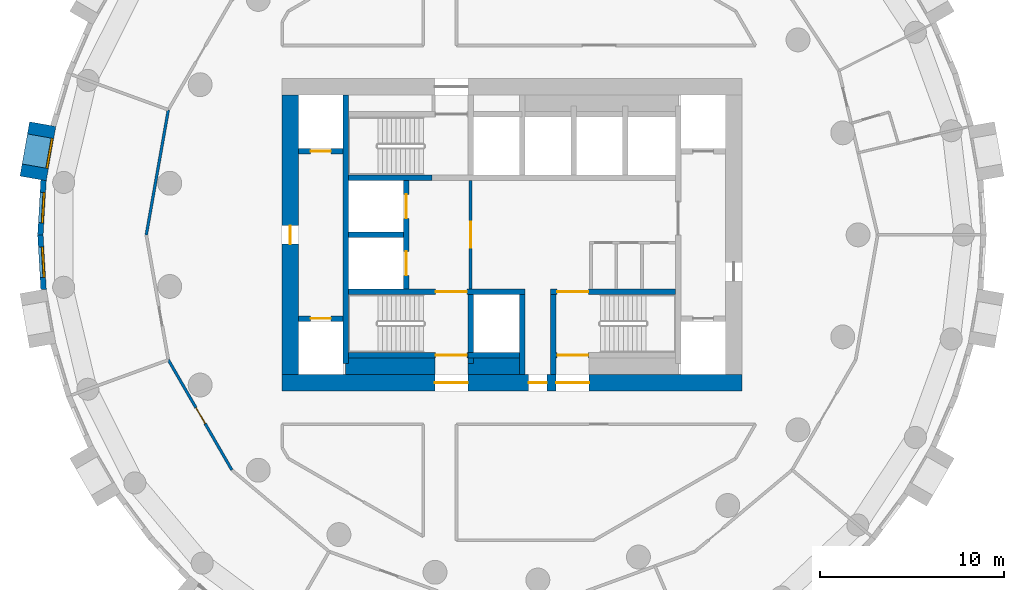
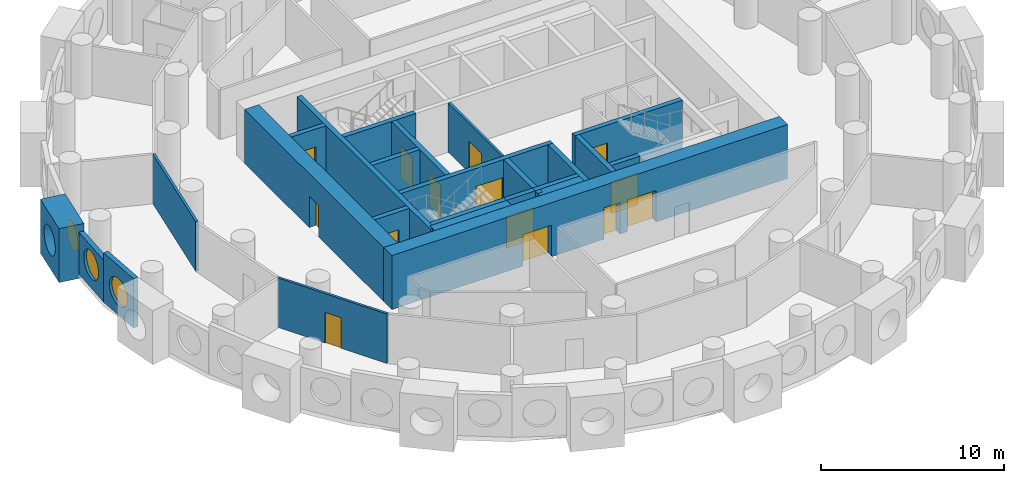
# One storey, part 3 of 9: 25 walls, 14 doors, 3 windows, 17 openings.
"""IFC4 building model written with IfcOpenShell, lengths in metres."""

from ifc_helpers import new_model, si_unit, direction, frame, frame_2d, origin, origin_2d, place, context, subcontext, project, spatial, rectangle, circle, extrude, material, layer, layer_set, type_object, element, fill, save


model = new_model("IFC4")

# Units and contexts
model_context = context("Model", 3, precision=1e-05, world=origin(), true_north=direction((0.0, 1.0)))
body_context = subcontext(model_context, "Body", "Model", "MODEL_VIEW")
ifc_project = project(units=[si_unit("LENGTHUNIT", "METRE"), si_unit("AREAUNIT", "SQUARE_METRE"), si_unit("VOLUMEUNIT", "CUBIC_METRE"), si_unit("PLANEANGLEUNIT", "RADIAN"), si_unit("MASSUNIT", "GRAM", prefix="KILO")], contexts=[model_context])

# Site, building, storey
site_placement = place(None, origin())
site = spatial("IfcSite", under=ifc_project, at=site_placement, CompositionType="ELEMENT")
building_placement = place(site_placement, origin())
building = spatial("IfcBuilding", under=site, at=building_placement, Name="Tracery Tower", CompositionType="ELEMENT")
storey_placement = place(building_placement, frame((0.0, 0.0, 172.800048828125)))
storey = spatial("IfcBuildingStorey", under=building, at=storey_placement, Name="L44", CompositionType="ELEMENT", Elevation=172.800048828125)

# Wall, opening, door
ifc_material_1 = material(Name="Plasterboard on steel studs", Category="steel")
ifc_layer_1 = layer(ifc_material_1, 0.14990234375)
ifc_layer_set_1 = layer_set([ifc_layer_1], Name="Core lobby partition 150")
wall_type_1 = type_object("IfcWallType", Name="Core lobby partition 150", PredefinedType="SOLIDWALL", material=ifc_layer_set_1)
wall_1_placement = place(storey_placement, frame((-2.25, -2.949951171875, 0.0), z_axis=(0.0, 0.0, 1.0), x_axis=(0.0, 1.0, 0.0)))
wall_1 = element("IfcWall", 1, at=wall_1_placement, inside=storey, type_object=wall_type_1, Name="L44 FF lobby E", PredefinedType="SOLIDWALL", context=body_context, shape_type="SweptSolid", body=[
    extrude(rectangle(XDim=5.89990234375, YDim=0.14990234375, at=frame_2d((2.949951171875, 0.0))), origin(), (0.0, 0.0, 1.0), 3.300048828125),
])
opening_1_placement = place(wall_1_placement, frame((2.25, 0.0, 0.0)))
opening_1 = element("IfcOpeningElement", 2, at=opening_1_placement, cuts=wall_1, Name="Opening KD8", PredefinedType="OPENING", context=body_context, shape_type="SweptSolid", body=[
    extrude(rectangle(XDim=1.39990234375, YDim=2.10009765625, at=frame_2d((0.699951171875, 1.050048828125))), frame((0.0, 0.074951171875, 0.0), z_axis=(0.0, -1.0, 0.0), x_axis=(1.0, 0.0, 0.0)), (0.0, 0.0, 1.0), 0.14990234375),
])
ifc_material_2 = material(Name="Steel fire door", Category="steel")
door_type_1 = type_object("IfcDoorType", Name="Core lobby door 1400 double", OperationType="NOTDEFINED", PredefinedType="DOOR", material=ifc_material_2)
door_1_placement = place(opening_1_placement, origin())
door_1 = element("IfcDoor", 3, at=door_1_placement, inside=storey, type_object=door_type_1, Name="Fire-fighting lobby door", OperationType="DOUBLE_DOOR_SINGLE_SWING", OverallHeight=2.10009765625, OverallWidth=1.39990234375, PredefinedType="DOOR", context=body_context, shape_type="SweptSolid", body=[
    extrude(rectangle(XDim=1.39990234375, YDim=2.10009765625, at=frame_2d((0.699951171875, 1.050048828125))), frame((0.0, 0.02490234375, 0.0), z_axis=(0.0, -1.0, 0.0), x_axis=(1.0, 0.0, 0.0)), (0.0, 0.0, 1.0), 0.050048828125),
])
fill(opening_1, door_1)

# Walls
ifc_material_3 = material(Name="Concrete C50/60", Category="concrete")
ifc_layer_2 = layer(ifc_material_3, 0.89990234375)
ifc_layer_set_2 = layer_set([ifc_layer_2], Name="Core strip wall 900 C50")
wall_type_2 = type_object("IfcWallType", Name="Core strip wall 900 C50", PredefinedType="SOLIDWALL", material=ifc_layer_set_2)
wall_2_placement = place(storey_placement, frame((-9.050048828125, -7.14990234375, 0.0), z_axis=(0.0, 0.0, 1.0), x_axis=(1.0, 0.0, 0.0)))
element("IfcWall", 4, at=wall_2_placement, inside=storey, type_object=wall_type_2, Name="L44 F thick S W", PredefinedType="SOLIDWALL", context=body_context, shape_type="SweptSolid", body=[
    extrude(rectangle(XDim=4.85009765625, YDim=0.89990234375, at=frame_2d((2.425048828125, 0.0))), origin(), (0.0, 0.0, 1.0), 3.300048828125),
])
wall_3_placement = place(storey_placement, frame((-2.39990234375, -7.14990234375, 0.0), z_axis=(0.0, 0.0, 1.0), x_axis=(1.0, 0.0, 0.0)))
element("IfcWall", 5, at=wall_3_placement, inside=storey, type_object=wall_type_2, Name="L44 F thick S mid", PredefinedType="SOLIDWALL", context=body_context, shape_type="SweptSolid", body=[
    extrude(rectangle(XDim=2.7998046875, YDim=0.89990234375, at=frame_2d((1.39990234375, 0.0))), origin(), (0.0, 0.0, 1.0), 3.300048828125),
])

# Wall, openings, doors
ifc_material_4 = material(Name="Concrete C50/60", Category="concrete")
ifc_layer_3 = layer(ifc_material_4, 0.89990234375)
ifc_layer_set_3 = layer_set([ifc_layer_3], Name="Core wall 900 C50")
wall_type_3 = type_object("IfcWallType", Name="Core wall 900 C50", PredefinedType="SOLIDWALL", material=ifc_layer_set_3)
wall_4_placement = place(storey_placement, frame((-12.5, -8.050048828125, 0.0), z_axis=(0.0, 0.0, 1.0), x_axis=(1.0, 0.0, 0.0)))
wall_4 = element("IfcWall", 6, at=wall_4_placement, inside=storey, type_object=wall_type_3, Name="L44 outer S", PredefinedType="SOLIDWALL", context=body_context, shape_type="SweptSolid", body=[
    extrude(rectangle(XDim=25.0, YDim=0.89990234375, at=frame_2d((12.5, 0.0))), origin(), (0.0, 0.0, 1.0), 3.599853515625),
])
opening_2_placement = place(wall_4_placement, frame((13.39990234375, 0.0, 0.0)))
opening_2 = element("IfcOpeningElement", 7, at=opening_2_placement, cuts=wall_4, Name="Opening KD16", PredefinedType="OPENING", context=body_context, shape_type="SweptSolid", body=[
    extrude(rectangle(XDim=1.0, YDim=2.10009765625, at=frame_2d((0.5, 1.050048828125))), frame((0.0, 0.449951171875, 0.0), z_axis=(0.0, -1.0, 0.0), x_axis=(1.0, 0.0, 0.0)), (0.0, 0.0, 1.0), 0.89990234375),
])
opening_3_placement = place(wall_4_placement, frame((8.300048828125, 0.0, 0.0)))
opening_3 = element("IfcOpeningElement", 8, at=opening_3_placement, cuts=wall_4, Name="Opening KD13", PredefinedType="OPENING", context=body_context, shape_type="SweptSolid", body=[
    extrude(rectangle(XDim=1.800048828125, YDim=2.10009765625, at=frame_2d((0.89990234375, 1.050048828125))), frame((0.0, 0.449951171875, 0.0), z_axis=(0.0, -1.0, 0.0), x_axis=(1.0, 0.0, 0.0)), (0.0, 0.0, 1.0), 0.89990234375),
])
opening_4_placement = place(wall_4_placement, frame((14.89990234375, 0.0, 0.0)))
opening_4 = element("IfcOpeningElement", 9, at=opening_4_placement, cuts=wall_4, Name="Opening KD13", PredefinedType="OPENING", context=body_context, shape_type="SweptSolid", body=[
    extrude(rectangle(XDim=1.800048828125, YDim=2.10009765625, at=frame_2d((0.89990234375, 1.050048828125))), frame((0.0, 0.449951171875, 0.0), z_axis=(0.0, -1.0, 0.0), x_axis=(1.0, 0.0, 0.0)), (0.0, 0.0, 1.0), 0.89990234375),
])
ifc_material_5 = material(Name="Steel fire door", Category="steel")
door_type_2 = type_object("IfcDoorType", Name="Core exit door 1000", OperationType="NOTDEFINED", PredefinedType="DOOR", material=ifc_material_5)
door_2_placement = place(opening_2_placement, origin())
door_2 = element("IfcDoor", 10, at=door_2_placement, inside=storey, type_object=door_type_2, Name="Core exit door", OperationType="SINGLE_SWING_LEFT", OverallHeight=2.10009765625, OverallWidth=1.0, PredefinedType="DOOR", context=body_context, shape_type="SweptSolid", body=[
    extrude(rectangle(XDim=1.0, YDim=2.10009765625, at=frame_2d((0.5, 1.050048828125))), frame((0.0, 0.02490234375, 0.0), z_axis=(0.0, -1.0, 0.0), x_axis=(1.0, 0.0, 0.0)), (0.0, 0.0, 1.0), 0.050048828125),
])
fill(opening_2, door_2)
ifc_material_6 = material(Name="Steel fire door", Category="steel")
door_type_3 = type_object("IfcDoorType", Name="Core exit door 1800 double", OperationType="NOTDEFINED", PredefinedType="DOOR", material=ifc_material_6)
door_3_placement = place(opening_3_placement, origin())
door_3 = element("IfcDoor", 11, at=door_3_placement, inside=storey, type_object=door_type_3, Name="Core exit door", OperationType="DOUBLE_DOOR_SINGLE_SWING", OverallHeight=2.10009765625, OverallWidth=1.800048828125, PredefinedType="DOOR", context=body_context, shape_type="SweptSolid", body=[
    extrude(rectangle(XDim=1.800048828125, YDim=2.10009765625, at=frame_2d((0.89990234375, 1.050048828125))), frame((0.0, 0.02490234375, 0.0), z_axis=(0.0, -1.0, 0.0), x_axis=(1.0, 0.0, 0.0)), (0.0, 0.0, 1.0), 0.050048828125),
])
fill(opening_3, door_3)
door_4_placement = place(opening_4_placement, origin())
door_4 = element("IfcDoor", 12, at=door_4_placement, inside=storey, type_object=door_type_3, Name="Core exit door", OperationType="DOUBLE_DOOR_SINGLE_SWING", OverallHeight=2.10009765625, OverallWidth=1.800048828125, PredefinedType="DOOR", context=body_context, shape_type="SweptSolid", body=[
    extrude(rectangle(XDim=1.800048828125, YDim=2.10009765625, at=frame_2d((0.89990234375, 1.050048828125))), frame((0.0, 0.02490234375, 0.0), z_axis=(0.0, -1.0, 0.0), x_axis=(1.0, 0.0, 0.0)), (0.0, 0.0, 1.0), 0.050048828125),
])
fill(opening_4, door_4)

# Wall, opening, door
wall_5_placement = place(storey_placement, frame((-12.050048828125, -7.60009765625, 0.0), z_axis=(0.0, 0.0, 1.0), x_axis=(0.0, 1.0, 0.0)))
wall_5 = element("IfcWall", 13, at=wall_5_placement, inside=storey, type_object=wall_type_3, Name="L44 outer W", PredefinedType="SOLIDWALL", context=body_context, shape_type="SweptSolid", body=[
    extrude(rectangle(XDim=15.2001953125, YDim=0.89990234375, at=frame_2d((7.60009765625, 0.0))), origin(), (0.0, 0.0, 1.0), 3.599853515625),
])
opening_5_placement = place(wall_5_placement, frame((7.10009765625, 0.0, 0.0)))
opening_5 = element("IfcOpeningElement", 14, at=opening_5_placement, cuts=wall_5, Name="Opening KD18", PredefinedType="OPENING", context=body_context, shape_type="SweptSolid", body=[
    extrude(rectangle(XDim=1.0, YDim=2.10009765625, at=frame_2d((0.5, 1.050048828125))), frame((0.0, 0.449951171875, 0.0), z_axis=(0.0, -1.0, 0.0), x_axis=(1.0, 0.0, 0.0)), (0.0, 0.0, 1.0), 0.89990234375),
])
door_5_placement = place(opening_5_placement, origin())
door_5 = element("IfcDoor", 15, at=door_5_placement, inside=storey, type_object=door_type_2, Name="Core exit door", OperationType="DOUBLE_DOOR_SINGLE_SWING", OverallHeight=2.10009765625, OverallWidth=1.0, PredefinedType="DOOR", context=body_context, shape_type="SweptSolid", body=[
    extrude(rectangle(XDim=1.0, YDim=2.10009765625, at=frame_2d((0.5, 1.050048828125))), frame((0.0, 0.02490234375, 0.0), z_axis=(0.0, -1.0, 0.0), x_axis=(1.0, 0.0, 0.0)), (0.0, 0.0, 1.0), 0.050048828125),
])
fill(opening_5, door_5)

# Wall, opening, window
ifc_material_7 = material(Name="Precast concrete C50/60", Category="concrete")
ifc_layer_4 = layer(ifc_material_7, 1.449951171875)
ifc_layer_set_4 = layer_set([ifc_layer_4], Name="Deep-set bay unit 3000 x 3600, slab edge 300")
wall_type_4 = type_object("IfcWallType", Name="Deep-set bay unit 3000 x 3600, slab edge 300", PredefinedType="ELEMENTEDWALL", material=ifc_layer_set_4)
wall_6_placement = place(storey_placement, frame((-25.520751953125, 6.023193359375, -0.300048828125), z_axis=(0.0, 0.0, 1.0), x_axis=(-0.173669267716, -0.984804034035, 0.0)))
wall_6 = element("IfcWall", 16, at=wall_6_placement, inside=storey, type_object=wall_type_4, Name="Deep-set bay unit 26 at L44", PredefinedType="ELEMENTEDWALL", context=body_context, shape_type="SweptSolid", body=[
    extrude(rectangle(XDim=3.0, YDim=1.449951171875, at=frame_2d((1.5, 0.0))), origin(), (0.0, 0.0, 1.0), 3.60009765625),
])
opening_6_placement = place(wall_6_placement, frame((1.5, 0.0, 1.85009765625)))
opening_6 = element("IfcOpeningElement", 17, at=opening_6_placement, cuts=wall_6, Name="Opening WN1", PredefinedType="OPENING", context=body_context, shape_type="SweptSolid", body=[
    extrude(circle(Radius=0.9000244140625, at=origin_2d()), frame((0.0, 0.73486328125, 0.0), z_axis=(0.0, -1.0, 0.0), x_axis=(1.0, 0.0, 0.0)), (0.0, 0.0, 1.0), 1.469970703125),
])
ifc_material_8 = material(Name="Aluminium frame with tinted double glazing", Category="aluminium")
window_type = type_object("IfcWindowType", Name="Round window 1800", PartitioningType="SINGLE_PANEL", PredefinedType="WINDOW", material=ifc_material_8)
window_1_placement = place(opening_6_placement, origin())
window_1 = element("IfcWindow", 18, at=window_1_placement, inside=storey, type_object=window_type, Name="Round window 26 at L44", OverallHeight=1.800048828125, OverallWidth=1.800048828125, PartitioningType="SINGLE_PANEL", PredefinedType="WINDOW", context=body_context, shape_type="SweptSolid", body=[
    extrude(circle(Radius=0.9000244140625, at=origin_2d()), frame((0.0, 0.69482421875, 0.0), z_axis=(0.0, -1.0, 0.0), x_axis=(1.0, 0.0, 0.0)), (0.0, 0.0, 1.0), 0.10009765625),
])
fill(opening_6, window_1)

ifc_material_9 = material(Name="Precast concrete C50/60", Category="concrete")
ifc_layer_5 = layer(ifc_material_9, 0.300048828125)
ifc_layer_set_5 = layer_set([ifc_layer_5], Name="Facade panel 3000 x 2800")
wall_type_5 = type_object("IfcWallType", Name="Facade panel 3000 x 2800", PredefinedType="SOLIDWALL", material=ifc_layer_set_5)
wall_7_placement = place(storey_placement, frame((-25.474609375, 2.9677734375, 0.0), z_axis=(0.0, 0.0, 1.0), x_axis=(-0.058144307138, -0.998308188661, 0.0)))
wall_7 = element("IfcWall", 19, at=wall_7_placement, inside=storey, type_object=wall_type_5, Name="Facade panel 27 at L44", PredefinedType="SOLIDWALL", context=body_context, shape_type="SweptSolid", body=[
    extrude(rectangle(XDim=2.972900390625, YDim=0.300048828125, at=frame_2d((1.486328125, 0.0))), origin(), (0.0, 0.0, 1.0), 2.800048828125),
])
opening_7_placement = place(wall_7_placement, frame((1.486328125, 0.0, 1.5498046875)))
opening_7 = element("IfcOpeningElement", 20, at=opening_7_placement, cuts=wall_7, Name="Opening WN1", PredefinedType="OPENING", context=body_context, shape_type="SweptSolid", body=[
    extrude(circle(Radius=0.9000244140625, at=origin_2d()), frame((0.0, 0.159912109375, 0.0), z_axis=(0.0, -1.0, 0.0), x_axis=(1.0, 0.0, 0.0)), (0.0, 0.0, 1.0), 0.320068359375),
])
window_2_placement = place(opening_7_placement, origin())
window_2 = element("IfcWindow", 21, at=window_2_placement, inside=storey, type_object=window_type, Name="Round window 27 at L44", OverallHeight=1.800048828125, OverallWidth=1.800048828125, PartitioningType="SINGLE_PANEL", PredefinedType="WINDOW", context=body_context, shape_type="SweptSolid", body=[
    extrude(circle(Radius=0.9000244140625, at=origin_2d()), frame((0.0, 0.1201171875, 0.0), z_axis=(0.0, -1.0, 0.0), x_axis=(1.0, 0.0, 0.0)), (0.0, 0.0, 1.0), 0.10009765625),
])
fill(opening_7, window_2)

ifc_material_10 = material(Name="Precast concrete C50/60", Category="concrete")
ifc_layer_6 = layer(ifc_material_10, 0.300048828125)
ifc_layer_set_6 = layer_set([ifc_layer_6], Name="Facade panel 3000 x 3300")
wall_type_6 = type_object("IfcWallType", Name="Facade panel 3000 x 3300", PredefinedType="SOLIDWALL", material=ifc_layer_set_6)
wall_8_placement = place(storey_placement, frame((-25.6474609375, 0.0, 0.0), z_axis=(0.0, 0.0, 1.0), x_axis=(0.058144307138, -0.998308188661, 0.0)))
wall_8 = element("IfcWall", 22, at=wall_8_placement, inside=storey, type_object=wall_type_6, Name="Facade panel 28 at L44", PredefinedType="SOLIDWALL", context=body_context, shape_type="SweptSolid", body=[
    extrude(rectangle(XDim=2.972900390625, YDim=0.300048828125, at=frame_2d((1.486328125, 0.0))), origin(), (0.0, 0.0, 1.0), 3.300048828125),
])
opening_8_placement = place(wall_8_placement, frame((1.486328125, 0.0, 1.5498046875)))
opening_8 = element("IfcOpeningElement", 23, at=opening_8_placement, cuts=wall_8, Name="Opening WN1", PredefinedType="OPENING", context=body_context, shape_type="SweptSolid", body=[
    extrude(circle(Radius=0.9000244140625, at=origin_2d()), frame((0.0, 0.159912109375, 0.0), z_axis=(0.0, -1.0, 0.0), x_axis=(1.0, 0.0, 0.0)), (0.0, 0.0, 1.0), 0.320068359375),
])
window_3_placement = place(opening_8_placement, origin())
window_3 = element("IfcWindow", 24, at=window_3_placement, inside=storey, type_object=window_type, Name="Round window 28 at L44", OverallHeight=1.800048828125, OverallWidth=1.800048828125, PartitioningType="SINGLE_PANEL", PredefinedType="WINDOW", context=body_context, shape_type="SweptSolid", body=[
    extrude(circle(Radius=0.9000244140625, at=origin_2d()), frame((0.0, 0.1201171875, 0.0), z_axis=(0.0, -1.0, 0.0), x_axis=(1.0, 0.0, 0.0)), (0.0, 0.0, 1.0), 0.10009765625),
])
fill(opening_8, window_3)

# Wall
ifc_material_11 = material(Name="Plasterboard on steel studs", Category="steel")
ifc_layer_7 = layer(ifc_material_11, 0.14990234375)
ifc_layer_set_7 = layer_set([ifc_layer_7], Name="Partition 150 corridor wall")
wall_type_7 = type_object("IfcWallType", Name="Partition 150 corridor wall", PredefinedType="PARTITIONING", material=ifc_layer_set_7)
wall_9_placement = place(storey_placement, frame((-19.887939453125, 0.0, 0.0), z_axis=(0.0, 0.0, 1.0), x_axis=(0.173728873845, 0.98479352069, 0.0)))
element("IfcWall", 25, at=wall_9_placement, inside=storey, type_object=wall_type_7, Name="Corridor wall RB5-028", PredefinedType="PARTITIONING", context=body_context, shape_type="SweptSolid", body=[
    extrude(rectangle(XDim=6.906982421875, YDim=0.14990234375, at=frame_2d((3.45361328125, 0.0))), origin(), (0.0, 0.0, 1.0), 3.300048828125),
])

# Wall, opening, door
wall_10_placement = place(storey_placement, frame((-18.68798828125, -6.802001953125, 0.0), z_axis=(0.0, 0.0, 1.0), x_axis=(0.499914202267, -0.866074933462, 0.0)))
wall_10 = element("IfcWall", 26, at=wall_10_placement, inside=storey, type_object=wall_type_7, Name="Corridor wall RB5-030", PredefinedType="PARTITIONING", context=body_context, shape_type="SweptSolid", body=[
    extrude(rectangle(XDim=6.906982421875, YDim=0.14990234375, at=frame_2d((3.45361328125, 0.0))), origin(), (0.0, 0.0, 1.0), 3.300048828125),
])
opening_9_placement = place(wall_10_placement, frame((3.003173828125, 0.0, 0.0)))
opening_9 = element("IfcOpeningElement", 27, at=opening_9_placement, cuts=wall_10, Name="Opening RB5-22", PredefinedType="OPENING", context=body_context, shape_type="SweptSolid", body=[
    extrude(rectangle(XDim=1.0, YDim=2.0400390625, at=frame_2d((0.5, 1.02001953125))), frame((0.0, 0.074951171875, 0.0), z_axis=(0.0, -1.0, 0.0), x_axis=(1.0, 0.0, 0.0)), (0.0, 0.0, 1.0), 0.14990234375),
])
ifc_material_12 = material(Name="Timber door leaf", Category="wood")
door_type_4 = type_object("IfcDoorType", Name="Door communal room 1000", OperationType="NOTDEFINED", PredefinedType="DOOR", material=ifc_material_12)
door_6_placement = place(opening_9_placement, origin())
door_6 = element("IfcDoor", 28, at=door_6_placement, inside=storey, type_object=door_type_4, Name="Communal room door RB5-22", OperationType="SINGLE_SWING_LEFT", OverallHeight=2.0400390625, OverallWidth=1.0, PredefinedType="DOOR", context=body_context, shape_type="SweptSolid", body=[
    extrude(rectangle(XDim=1.0, YDim=2.0400390625, at=frame_2d((0.5, 1.02001953125))), frame((0.0, 0.02490234375, 0.0), z_axis=(0.0, -1.0, 0.0), x_axis=(1.0, 0.0, 0.0)), (0.0, 0.0, 1.0), 0.050048828125),
])
fill(opening_9, door_6)

# Wall
ifc_material_13 = material(Name="Concrete C50/60", Category="concrete")
ifc_layer_8 = layer(ifc_material_13, 0.300048828125)
ifc_layer_set_8 = layer_set([ifc_layer_8], Name="Shaft wall 300 C50")
wall_type_8 = type_object("IfcWallType", Name="Shaft wall 300 C50", PredefinedType="SOLIDWALL", material=ifc_layer_set_8)
wall_11_placement = place(storey_placement, frame((-8.89990234375, 0.0, 0.0), z_axis=(0.0, 0.0, 1.0), x_axis=(1.0, 0.0, 0.0)))
element("IfcWall", 29, at=wall_11_placement, inside=storey, type_object=wall_type_8, Name="L44 FF split", PredefinedType="SOLIDWALL", context=body_context, shape_type="SweptSolid", body=[
    extrude(rectangle(XDim=3.0, YDim=0.300048828125, at=frame_2d((1.5, 0.0))), origin(), (0.0, 0.0, 1.0), 3.300048828125),
])

# Wall, openings, doors
wall_12_placement = place(storey_placement, frame((-5.75, -2.949951171875, 0.0), z_axis=(0.0, 0.0, 1.0), x_axis=(0.0, 1.0, 0.0)))
wall_12 = element("IfcWall", 30, at=wall_12_placement, inside=storey, type_object=wall_type_8, Name="L44 FF doors", PredefinedType="SOLIDWALL", context=body_context, shape_type="SweptSolid", body=[
    extrude(rectangle(XDim=5.89990234375, YDim=0.300048828125, at=frame_2d((2.949951171875, 0.0))), origin(), (0.0, 0.0, 1.0), 3.300048828125),
])
opening_10_placement = place(wall_12_placement, frame((0.75, 0.0, 0.0)))
opening_10 = element("IfcOpeningElement", 31, at=opening_10_placement, cuts=wall_12, Name="Opening KD54", PredefinedType="OPENING", context=body_context, shape_type="SweptSolid", body=[
    extrude(rectangle(XDim=1.300048828125, YDim=2.10009765625, at=frame_2d((0.64990234375, 1.050048828125))), frame((0.0, 0.14990234375, 0.0), z_axis=(0.0, -1.0, 0.0), x_axis=(1.0, 0.0, 0.0)), (0.0, 0.0, 1.0), 0.300048828125),
])
opening_11_placement = place(wall_12_placement, frame((3.85009765625, 0.0, 0.0)))
opening_11 = element("IfcOpeningElement", 32, at=opening_11_placement, cuts=wall_12, Name="Opening KD55", PredefinedType="OPENING", context=body_context, shape_type="SweptSolid", body=[
    extrude(rectangle(XDim=1.300048828125, YDim=2.10009765625, at=frame_2d((0.64990234375, 1.050048828125))), frame((0.0, 0.14990234375, 0.0), z_axis=(0.0, -1.0, 0.0), x_axis=(1.0, 0.0, 0.0)), (0.0, 0.0, 1.0), 0.300048828125),
])
ifc_material_14 = material(Name="Steel fire door", Category="steel")
door_type_5 = type_object("IfcDoorType", Name="Landing door FF 1300", OperationType="NOTDEFINED", PredefinedType="DOOR", material=ifc_material_14)
door_7_placement = place(opening_10_placement, origin())
door_7 = element("IfcDoor", 33, at=door_7_placement, inside=storey, type_object=door_type_5, Name="Landing door FF1", OperationType="SLIDING_TO_LEFT", OverallHeight=2.10009765625, OverallWidth=1.300048828125, PredefinedType="DOOR", context=body_context, shape_type="SweptSolid", body=[
    extrude(rectangle(XDim=1.300048828125, YDim=2.10009765625, at=frame_2d((0.64990234375, 1.050048828125))), frame((0.0, 0.02490234375, 0.0), z_axis=(0.0, -1.0, 0.0), x_axis=(1.0, 0.0, 0.0)), (0.0, 0.0, 1.0), 0.050048828125),
])
fill(opening_10, door_7)
door_8_placement = place(opening_11_placement, origin())
door_8 = element("IfcDoor", 34, at=door_8_placement, inside=storey, type_object=door_type_5, Name="Landing door FF2", OperationType="SLIDING_TO_RIGHT", OverallHeight=2.10009765625, OverallWidth=1.300048828125, PredefinedType="DOOR", context=body_context, shape_type="SweptSolid", body=[
    extrude(rectangle(XDim=1.300048828125, YDim=2.10009765625, at=frame_2d((0.64990234375, 1.050048828125))), frame((0.0, 0.02490234375, 0.0), z_axis=(0.0, -1.0, 0.0), x_axis=(1.0, 0.0, 0.0)), (0.0, 0.0, 1.0), 0.050048828125),
])
fill(opening_11, door_8)

# Wall
wall_13_placement = place(storey_placement, frame((0.550048828125, -7.60009765625, 0.0), z_axis=(0.0, 0.0, 1.0), x_axis=(0.0, 1.0, 0.0)))
element("IfcWall", 35, at=wall_13_placement, inside=storey, type_object=wall_type_8, Name="L44 OB2 E", PredefinedType="SOLIDWALL", context=body_context, shape_type="SweptSolid", body=[
    extrude(rectangle(XDim=4.35009765625, YDim=0.300048828125, at=frame_2d((2.175048828125, 0.0))), origin(), (0.0, 0.0, 1.0), 3.300048828125),
])

# Wall, opening, door
wall_14_placement = place(storey_placement, frame((-11.60009765625, -4.550048828125, 0.0), z_axis=(0.0, 0.0, 1.0), x_axis=(1.0, 0.0, 0.0)))
wall_14 = element("IfcWall", 36, at=wall_14_placement, inside=storey, type_object=wall_type_8, Name="L44 MR W -4.55", PredefinedType="SOLIDWALL", context=body_context, shape_type="SweptSolid", body=[
    extrude(rectangle(XDim=2.400146484375, YDim=0.300048828125, at=frame_2d((1.2001953125, 0.0))), origin(), (0.0, 0.0, 1.0), 3.300048828125),
])
opening_12_placement = place(wall_14_placement, frame((0.64990234375, 0.0, 0.0)))
opening_12 = element("IfcOpeningElement", 37, at=opening_12_placement, cuts=wall_14, Name="Opening KD50", PredefinedType="OPENING", context=body_context, shape_type="SweptSolid", body=[
    extrude(rectangle(XDim=1.10009765625, YDim=2.10009765625, at=frame_2d((0.550048828125, 1.050048828125))), frame((0.0, 0.14990234375, 0.0), z_axis=(0.0, -1.0, 0.0), x_axis=(1.0, 0.0, 0.0)), (0.0, 0.0, 1.0), 0.300048828125),
])
ifc_material_15 = material(Name="Steel fire door", Category="steel")
door_type_6 = type_object("IfcDoorType", Name="Landing door 1100", OperationType="NOTDEFINED", PredefinedType="DOOR", material=ifc_material_15)
door_9_placement = place(opening_12_placement, origin())
door_9 = element("IfcDoor", 38, at=door_9_placement, inside=storey, type_object=door_type_6, Name="Landing door MR1", OperationType="SLIDING_TO_RIGHT", OverallHeight=2.10009765625, OverallWidth=1.10009765625, PredefinedType="DOOR", context=body_context, shape_type="SweptSolid", body=[
    extrude(rectangle(XDim=1.10009765625, YDim=2.10009765625, at=frame_2d((0.550048828125, 1.050048828125))), frame((0.0, 0.02490234375, 0.0), z_axis=(0.0, -1.0, 0.0), x_axis=(1.0, 0.0, 0.0)), (0.0, 0.0, 1.0), 0.050048828125),
])
fill(opening_12, door_9)

wall_15_placement = place(storey_placement, frame((-11.60009765625, 4.550048828125, 0.0), z_axis=(0.0, 0.0, 1.0), x_axis=(1.0, 0.0, 0.0)))
wall_15 = element("IfcWall", 39, at=wall_15_placement, inside=storey, type_object=wall_type_8, Name="L44 MR W +4.55", PredefinedType="SOLIDWALL", context=body_context, shape_type="SweptSolid", body=[
    extrude(rectangle(XDim=2.400146484375, YDim=0.300048828125, at=frame_2d((1.2001953125, 0.0))), origin(), (0.0, 0.0, 1.0), 3.300048828125),
])
opening_13_placement = place(wall_15_placement, frame((0.64990234375, 0.0, 0.0)))
opening_13 = element("IfcOpeningElement", 40, at=opening_13_placement, cuts=wall_15, Name="Opening KD49", PredefinedType="OPENING", context=body_context, shape_type="SweptSolid", body=[
    extrude(rectangle(XDim=1.10009765625, YDim=2.10009765625, at=frame_2d((0.550048828125, 1.050048828125))), frame((0.0, 0.14990234375, 0.0), z_axis=(0.0, -1.0, 0.0), x_axis=(1.0, 0.0, 0.0)), (0.0, 0.0, 1.0), 0.300048828125),
])
door_10_placement = place(opening_13_placement, origin())
door_10 = element("IfcDoor", 41, at=door_10_placement, inside=storey, type_object=door_type_6, Name="Landing door MR2", OperationType="SLIDING_TO_LEFT", OverallHeight=2.10009765625, OverallWidth=1.10009765625, PredefinedType="DOOR", context=body_context, shape_type="SweptSolid", body=[
    extrude(rectangle(XDim=1.10009765625, YDim=2.10009765625, at=frame_2d((0.550048828125, 1.050048828125))), frame((0.0, 0.02490234375, 0.0), z_axis=(0.0, -1.0, 0.0), x_axis=(1.0, 0.0, 0.0)), (0.0, 0.0, 1.0), 0.050048828125),
])
fill(opening_13, door_10)

ifc_material_16 = material(Name="Concrete C50/60", Category="concrete")
ifc_layer_9 = layer(ifc_material_16, 0.300048828125)
ifc_layer_set_9 = layer_set([ifc_layer_9], Name="Stair wall 300 C50")
wall_type_9 = type_object("IfcWallType", Name="Stair wall 300 C50", PredefinedType="SOLIDWALL", material=ifc_layer_set_9)
wall_16_placement = place(storey_placement, frame((-8.89990234375, -3.10009765625, 0.0), z_axis=(0.0, 0.0, 1.0), x_axis=(1.0, 0.0, 0.0)))
wall_16 = element("IfcWall", 42, at=wall_16_placement, inside=storey, type_object=wall_type_9, Name="L44 row S", PredefinedType="SOLIDWALL", context=body_context, shape_type="SweptSolid", body=[
    extrude(rectangle(XDim=9.599853515625, YDim=0.300048828125, at=frame_2d((4.7998046875, 0.0))), origin(), (0.0, 0.0, 1.0), 3.300048828125),
])
opening_14_placement = place(wall_16_placement, frame((4.75, 0.0, 0.0)))
opening_14 = element("IfcOpeningElement", 43, at=opening_14_placement, cuts=wall_16, Name="Opening KD3", PredefinedType="OPENING", context=body_context, shape_type="SweptSolid", body=[
    extrude(rectangle(XDim=1.699951171875, YDim=2.10009765625, at=frame_2d((0.85009765625, 1.050048828125))), frame((0.0, 0.14990234375, 0.0), z_axis=(0.0, -1.0, 0.0), x_axis=(1.0, 0.0, 0.0)), (0.0, 0.0, 1.0), 0.300048828125),
])
ifc_material_17 = material(Name="Steel fire door", Category="steel")
door_type_7 = type_object("IfcDoorType", Name="Core stair door 1700 double", OperationType="NOTDEFINED", PredefinedType="DOOR", material=ifc_material_17)
door_11_placement = place(opening_14_placement, origin())
door_11 = element("IfcDoor", 44, at=door_11_placement, inside=storey, type_object=door_type_7, Name="Stair door ST1", OperationType="DOUBLE_DOOR_SINGLE_SWING", OverallHeight=2.10009765625, OverallWidth=1.699951171875, PredefinedType="DOOR", context=body_context, shape_type="SweptSolid", body=[
    extrude(rectangle(XDim=1.699951171875, YDim=2.10009765625, at=frame_2d((0.85009765625, 1.050048828125))), frame((0.0, 0.02490234375, 0.0), z_axis=(0.0, -1.0, 0.0), x_axis=(1.0, 0.0, 0.0)), (0.0, 0.0, 1.0), 0.050048828125),
])
fill(opening_14, door_11)

wall_17_placement = place(storey_placement, frame((2.10009765625, -3.10009765625, 0.0), z_axis=(0.0, 0.0, 1.0), x_axis=(1.0, 0.0, 0.0)))
wall_17 = element("IfcWall", 45, at=wall_17_placement, inside=storey, type_object=wall_type_9, Name="L44 row S E", PredefinedType="SOLIDWALL", context=body_context, shape_type="SweptSolid", body=[
    extrude(rectangle(XDim=6.7998046875, YDim=0.300048828125, at=frame_2d((3.39990234375, 0.0))), origin(), (0.0, 0.0, 1.0), 3.300048828125),
])
opening_15_placement = place(wall_17_placement, frame((0.35009765625, 0.0, 0.0)))
opening_15 = element("IfcOpeningElement", 46, at=opening_15_placement, cuts=wall_17, Name="Opening KD3", PredefinedType="OPENING", context=body_context, shape_type="SweptSolid", body=[
    extrude(rectangle(XDim=1.699951171875, YDim=2.10009765625, at=frame_2d((0.85009765625, 1.050048828125))), frame((0.0, 0.14990234375, 0.0), z_axis=(0.0, -1.0, 0.0), x_axis=(1.0, 0.0, 0.0)), (0.0, 0.0, 1.0), 0.300048828125),
])
door_12_placement = place(opening_15_placement, origin())
door_12 = element("IfcDoor", 47, at=door_12_placement, inside=storey, type_object=door_type_7, Name="Stair door ST2", OperationType="DOUBLE_DOOR_SINGLE_SWING", OverallHeight=2.10009765625, OverallWidth=1.699951171875, PredefinedType="DOOR", context=body_context, shape_type="SweptSolid", body=[
    extrude(rectangle(XDim=1.699951171875, YDim=2.10009765625, at=frame_2d((0.85009765625, 1.050048828125))), frame((0.0, 0.02490234375, 0.0), z_axis=(0.0, -1.0, 0.0), x_axis=(1.0, 0.0, 0.0)), (0.0, 0.0, 1.0), 0.050048828125),
])
fill(opening_15, door_12)

# Walls
wall_18_placement = place(storey_placement, frame((-8.89990234375, 3.10009765625, 0.0), z_axis=(0.0, 0.0, 1.0), x_axis=(1.0, 0.0, 0.0)))
element("IfcWall", 48, at=wall_18_placement, inside=storey, type_object=wall_type_9, Name="L44 row N W", PredefinedType="SOLIDWALL", context=body_context, shape_type="SweptSolid", body=[
    extrude(rectangle(XDim=4.5498046875, YDim=0.300048828125, at=frame_2d((2.27490234375, 0.0))), origin(), (0.0, 0.0, 1.0), 3.300048828125),
])
wall_19_placement = place(storey_placement, frame((-2.25, -7.0, 0.0), z_axis=(0.0, 0.0, 1.0), x_axis=(0.0, 1.0, 0.0)))
element("IfcWall", 49, at=wall_19_placement, inside=storey, type_object=wall_type_9, Name="L44 ST1 E", PredefinedType="SOLIDWALL", context=body_context, shape_type="SweptSolid", body=[
    extrude(rectangle(XDim=3.75, YDim=0.300048828125, at=frame_2d((1.875, 0.0))), origin(), (0.0, 0.0, 1.0), 3.300048828125),
])
wall_20_placement = place(storey_placement, frame((2.25, -7.60009765625, 0.0), z_axis=(0.0, 0.0, 1.0), x_axis=(0.0, 1.0, 0.0)))
element("IfcWall", 50, at=wall_20_placement, inside=storey, type_object=wall_type_9, Name="L44 ST2 W", PredefinedType="SOLIDWALL", context=body_context, shape_type="SweptSolid", body=[
    extrude(rectangle(XDim=4.35009765625, YDim=0.300048828125, at=frame_2d((2.175048828125, 0.0))), origin(), (0.0, 0.0, 1.0), 3.300048828125),
])
wall_21_placement = place(storey_placement, frame((-9.050048828125, -7.0, 0.0), z_axis=(0.0, 0.0, 1.0), x_axis=(0.0, 1.0, 0.0)))
element("IfcWall", 51, at=wall_21_placement, inside=storey, type_object=wall_type_9, Name="L44 F wall -9", PredefinedType="SOLIDWALL", context=body_context, shape_type="SweptSolid", body=[
    extrude(rectangle(XDim=14.60009765625, YDim=0.300048828125, at=frame_2d((7.300048828125, 0.0))), origin(), (0.0, 0.0, 1.0), 3.300048828125),
])
wall_22_placement = place(storey_placement, frame((-8.89990234375, -6.550048828125, 0.0), z_axis=(0.0, 0.0, 1.0), x_axis=(1.0, 0.0, 0.0)))
element("IfcWall", 52, at=wall_22_placement, inside=storey, type_object=wall_type_9, Name="L44 F stair strip S W", PredefinedType="SOLIDWALL", context=body_context, shape_type="SweptSolid", body=[
    extrude(rectangle(XDim=4.699951171875, YDim=0.300048828125, at=frame_2d((2.35009765625, 0.0))), origin(), (0.0, 0.0, 1.0), 3.300048828125),
])
wall_23_placement = place(storey_placement, frame((-2.39990234375, -6.550048828125, 0.0), z_axis=(0.0, 0.0, 1.0), x_axis=(1.0, 0.0, 0.0)))
element("IfcWall", 53, at=wall_23_placement, inside=storey, type_object=wall_type_9, Name="L44 F stair strip S mid", PredefinedType="SOLIDWALL", context=body_context, shape_type="SweptSolid", body=[
    extrude(rectangle(XDim=2.7998046875, YDim=0.300048828125, at=frame_2d((1.39990234375, 0.0))), origin(), (0.0, 0.0, 1.0), 3.300048828125),
])

# Wall, opening, door
wall_24_placement = place(storey_placement, frame((-4.199951171875, -6.550048828125, 0.0), z_axis=(0.0, 0.0, 1.0), x_axis=(1.0, 0.0, 0.0)))
wall_24 = element("IfcWall", 54, at=wall_24_placement, inside=storey, type_object=wall_type_9, Name="L44 F stair S W", PredefinedType="SOLIDWALL", context=body_context, shape_type="SweptSolid", body=[
    extrude(rectangle(XDim=1.800048828125, YDim=0.300048828125, at=frame_2d((0.89990234375, 0.0))), origin(), (0.0, 0.0, 1.0), 3.300048828125),
])
opening_16_placement = place(wall_24_placement, frame((0.050048828125, 0.0, 0.0)))
opening_16 = element("IfcOpeningElement", 55, at=opening_16_placement, cuts=wall_24, Name="Opening KD3", PredefinedType="OPENING", context=body_context, shape_type="SweptSolid", body=[
    extrude(rectangle(XDim=1.699951171875, YDim=2.10009765625, at=frame_2d((0.85009765625, 1.050048828125))), frame((0.0, 0.14990234375, 0.0), z_axis=(0.0, -1.0, 0.0), x_axis=(1.0, 0.0, 0.0)), (0.0, 0.0, 1.0), 0.300048828125),
])
door_13_placement = place(opening_16_placement, origin())
door_13 = element("IfcDoor", 56, at=door_13_placement, inside=storey, type_object=door_type_7, Name="Stair door vest", OperationType="DOUBLE_DOOR_SINGLE_SWING", OverallHeight=2.10009765625, OverallWidth=1.699951171875, PredefinedType="DOOR", context=body_context, shape_type="SweptSolid", body=[
    extrude(rectangle(XDim=1.699951171875, YDim=2.10009765625, at=frame_2d((0.85009765625, 1.050048828125))), frame((0.0, 0.02490234375, 0.0), z_axis=(0.0, -1.0, 0.0), x_axis=(1.0, 0.0, 0.0)), (0.0, 0.0, 1.0), 0.050048828125),
])
fill(opening_16, door_13)

wall_25_placement = place(storey_placement, frame((2.39990234375, -6.550048828125, 0.0), z_axis=(0.0, 0.0, 1.0), x_axis=(1.0, 0.0, 0.0)))
wall_25 = element("IfcWall", 57, at=wall_25_placement, inside=storey, type_object=wall_type_9, Name="L44 F stair S E", PredefinedType="SOLIDWALL", context=body_context, shape_type="SweptSolid", body=[
    extrude(rectangle(XDim=1.800048828125, YDim=0.300048828125, at=frame_2d((0.89990234375, 0.0))), origin(), (0.0, 0.0, 1.0), 3.300048828125),
])
opening_17_placement = place(wall_25_placement, frame((0.050048828125, 0.0, 0.0)))
opening_17 = element("IfcOpeningElement", 58, at=opening_17_placement, cuts=wall_25, Name="Opening KD3", PredefinedType="OPENING", context=body_context, shape_type="SweptSolid", body=[
    extrude(rectangle(XDim=1.699951171875, YDim=2.10009765625, at=frame_2d((0.85009765625, 1.050048828125))), frame((0.0, 0.14990234375, 0.0), z_axis=(0.0, -1.0, 0.0), x_axis=(1.0, 0.0, 0.0)), (0.0, 0.0, 1.0), 0.300048828125),
])
door_14_placement = place(opening_17_placement, origin())
door_14 = element("IfcDoor", 59, at=door_14_placement, inside=storey, type_object=door_type_7, Name="Stair door vest", OperationType="DOUBLE_DOOR_SINGLE_SWING", OverallHeight=2.10009765625, OverallWidth=1.699951171875, PredefinedType="DOOR", context=body_context, shape_type="SweptSolid", body=[
    extrude(rectangle(XDim=1.699951171875, YDim=2.10009765625, at=frame_2d((0.85009765625, 1.050048828125))), frame((0.0, 0.02490234375, 0.0), z_axis=(0.0, -1.0, 0.0), x_axis=(1.0, 0.0, 0.0)), (0.0, 0.0, 1.0), 0.050048828125),
])
fill(opening_17, door_14)

save(model, "model.ifc")
